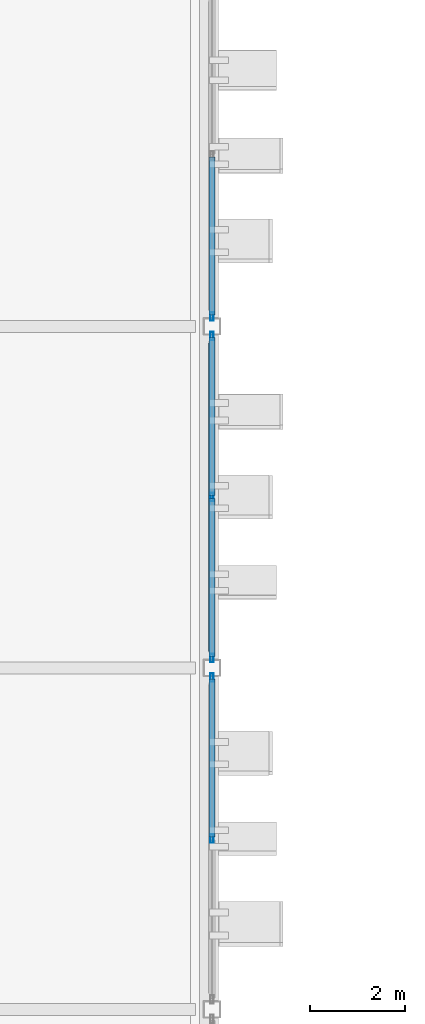
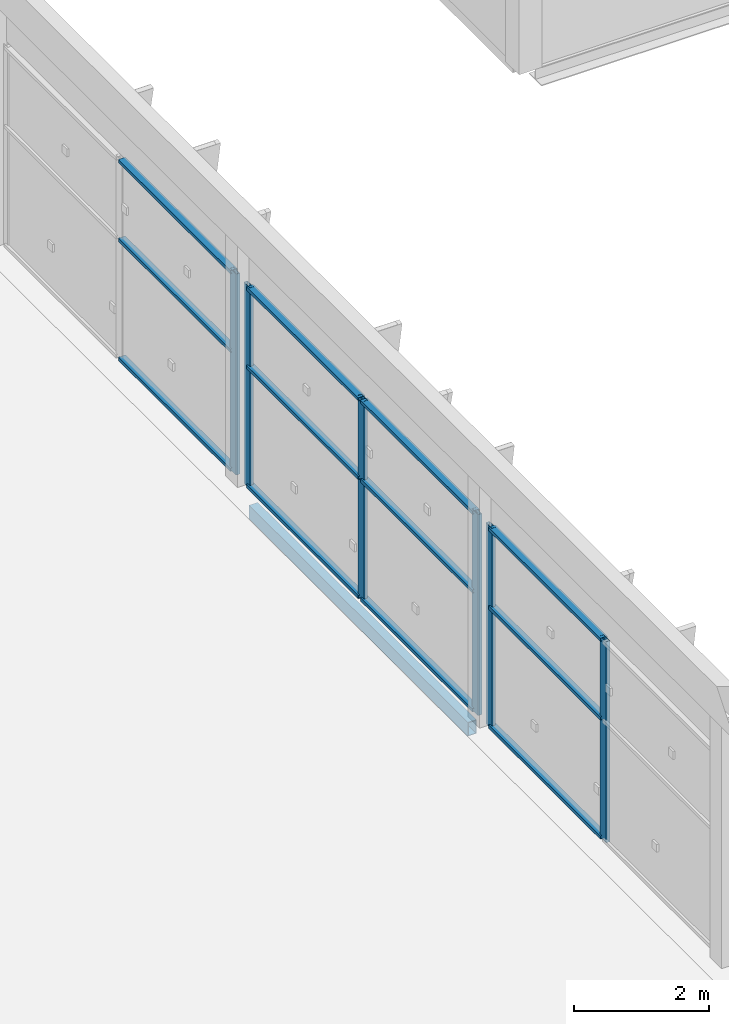
# One storey, part 54 of 124: 18 members, 1 beam, 3 elements without a shape of their own.
"""IFC4 building model written with IfcOpenShell, lengths in metres."""

from ifc_helpers import new_model, si_unit, direction, frame, origin, origin_2d, place, context, subcontext, project, spatial, hollow_rectangle, extrude, material, layer, layer_set, material_profile, profile_set, type_object, element, aggregate, save


model = new_model("IFC4")

# Units and contexts
model_context = context("Model", 3, precision=1e-05, world=origin(), true_north=direction((0.0, 1.0)))
body_context = subcontext(model_context, "Body", "Model", "MODEL_VIEW")
ifc_project = project(units=[si_unit("LENGTHUNIT", "METRE"), si_unit("AREAUNIT", "SQUARE_METRE"), si_unit("VOLUMEUNIT", "CUBIC_METRE"), si_unit("PLANEANGLEUNIT", "RADIAN"), si_unit("MASSUNIT", "GRAM", prefix="KILO")], contexts=[model_context])

# Site, building, storey
site_placement = place(None, origin())
site = spatial("IfcSite", under=ifc_project, at=site_placement, CompositionType="ELEMENT")
building_placement = place(site_placement, origin())
building = spatial("IfcBuilding", under=site, at=building_placement, Name="Celestram Park Convention Centre", CompositionType="ELEMENT")
storey_placement = place(building_placement, frame((0.0, 0.0, 15.300048828125)))
storey = spatial("IfcBuildingStorey", under=building, at=storey_placement, Name="L03", CompositionType="ELEMENT", Elevation=15.300048828125)

# Curtain wall, member
ifc_material_1 = material(Name="Anodised Aluminium Alloy 6063-T6", Category="aluminium")
ifc_layer = layer(ifc_material_1, 0.179931640625)
ifc_layer_set = layer_set([ifc_layer], Name="Anodised Aluminium Alloy 6063-T6")
curtain_wall_type = type_object("IfcCurtainWallType", Name="ARC-CW-685X365", PredefinedType="NOTDEFINED", material=ifc_layer_set)
curtain_wall_1_placement = place(storey_placement, origin())
curtain_wall_1 = element("IfcCurtainWall", 1, at=curtain_wall_1_placement, inside=storey, type_object=curtain_wall_type, Name="Unitised curtain wall CU-L03-218", PredefinedType="NOTDEFINED")
ifc_material_profile_1 = material_profile(ifc_material_1, hollow_rectangle(XDim=0.06494140625, YDim=0.179931640625, WallThickness=0.00390625, at=origin_2d()), Name="ALU65X180X4")
ifc_profile_set_1 = profile_set([ifc_material_profile_1], Name="Anodised Aluminium Alloy 6063-T6")
member_type_1 = type_object("IfcMemberType", Name="ARC-CWM-150", PredefinedType="MULLION", material=ifc_profile_set_1)
member_1_placement = place(storey_placement, frame((144.0, 108.20556640625, 0.0), z_axis=(0.0, 0.0, 1.0), x_axis=(1.0, 0.0, 0.0)))
member_1 = element("IfcMember", 2, at=member_1_placement, type_object=member_type_1, Name="CW-68X36 mullion 3", PredefinedType="MULLION", context=body_context, shape_type="SweptSolid", body=[
    extrude(hollow_rectangle(XDim=0.06494140625, YDim=0.179931640625, WallThickness=0.00390625, at=origin_2d()), origin(), (0.0, 0.0, 1.0), 3.64794921875),
])

# Curtain wall, members
curtain_wall_2_placement = place(storey_placement, origin())
curtain_wall_2 = element("IfcCurtainWall", 3, at=curtain_wall_2_placement, inside=storey, type_object=curtain_wall_type, Name="Unitised curtain wall CU-L03-219", PredefinedType="NOTDEFINED")
member_2_placement = place(storey_placement, frame((144.0, 107.79443359375, 0.0), z_axis=(0.0, 0.0, 1.0), x_axis=(1.0, 0.0, 0.0)))
member_2 = element("IfcMember", 4, at=member_2_placement, type_object=member_type_1, Name="CW-68X36 mullion 1", PredefinedType="MULLION", context=body_context, shape_type="SweptSolid", body=[
    extrude(hollow_rectangle(XDim=0.06494140625, YDim=0.179931640625, WallThickness=0.00390625, at=origin_2d()), origin(), (0.0, 0.0, 1.0), 3.64794921875),
])
member_3_placement = place(storey_placement, frame((144.0, 104.39990234375, 0.0), z_axis=(0.0, 0.0, 1.0), x_axis=(1.0, 0.0, 0.0)))
member_3 = element("IfcMember", 5, at=member_3_placement, type_object=member_type_1, Name="CW-68X36 mullion 2", PredefinedType="MULLION", context=body_context, shape_type="SweptSolid", body=[
    extrude(hollow_rectangle(XDim=0.06494140625, YDim=0.179931640625, WallThickness=0.00390625, at=origin_2d()), origin(), (0.0, 0.0, 1.0), 3.64794921875),
])
member_4_placement = place(storey_placement, frame((144.0, 101.005615234375, 0.0), z_axis=(0.0, 0.0, 1.0), x_axis=(1.0, 0.0, 0.0)))
member_4 = element("IfcMember", 6, at=member_4_placement, type_object=member_type_1, Name="CW-68X36 mullion 3", PredefinedType="MULLION", context=body_context, shape_type="SweptSolid", body=[
    extrude(hollow_rectangle(XDim=0.06494140625, YDim=0.179931640625, WallThickness=0.00390625, at=origin_2d()), origin(), (0.0, 0.0, 1.0), 3.64794921875),
])

curtain_wall_3_placement = place(storey_placement, origin())
curtain_wall_3 = element("IfcCurtainWall", 7, at=curtain_wall_3_placement, inside=storey, type_object=curtain_wall_type, Name="Unitised curtain wall CU-L03-220", PredefinedType="NOTDEFINED")
member_5_placement = place(storey_placement, frame((144.0, 100.594482421875, 0.0), z_axis=(0.0, 0.0, 1.0), x_axis=(1.0, 0.0, 0.0)))
member_5 = element("IfcMember", 8, at=member_5_placement, type_object=member_type_1, Name="CW-68X36 mullion 1", PredefinedType="MULLION", context=body_context, shape_type="SweptSolid", body=[
    extrude(hollow_rectangle(XDim=0.06494140625, YDim=0.179931640625, WallThickness=0.00390625, at=origin_2d()), origin(), (0.0, 0.0, 1.0), 3.64794921875),
])
member_6_placement = place(storey_placement, frame((144.0, 97.199951171875, 0.0), z_axis=(0.0, 0.0, 1.0), x_axis=(1.0, 0.0, 0.0)))
member_6 = element("IfcMember", 9, at=member_6_placement, type_object=member_type_1, Name="CW-68X36 mullion 2", PredefinedType="MULLION", context=body_context, shape_type="SweptSolid", body=[
    extrude(hollow_rectangle(XDim=0.06494140625, YDim=0.179931640625, WallThickness=0.00390625, at=origin_2d()), origin(), (0.0, 0.0, 1.0), 3.64794921875),
])

# Member
ifc_material_profile_2 = material_profile(ifc_material_1, hollow_rectangle(XDim=0.1201171875, YDim=0.06005859375, WallThickness=0.0029296875, at=origin_2d()), Name="ALU120X60X3")
ifc_profile_set_2 = profile_set([ifc_material_profile_2], Name="Anodised Aluminium Alloy 6063-T6")
member_type_2 = type_object("IfcMemberType", Name="ARC-CWT-120", PredefinedType="USERDEFINED", material=ifc_profile_set_2)
member_7_placement = place(storey_placement, frame((144.0, 111.5673828125, 0.030029296875), z_axis=(0.0, -1.0, 0.0), x_axis=(1.0, 0.0, 0.0)))
member_7 = element("IfcMember", 10, at=member_7_placement, type_object=member_type_2, Name="CW-68X36 transom 2.1", ObjectType="TRANSOM", PredefinedType="USERDEFINED", context=body_context, shape_type="SweptSolid", body=[
    extrude(hollow_rectangle(XDim=0.1201171875, YDim=0.06005859375, WallThickness=0.0029296875, at=origin_2d()), origin(), (0.0, 0.0, 1.0), 3.329345703125),
])

member_8_placement = place(storey_placement, frame((144.0, 111.5673828125, 2.18896484375), z_axis=(0.0, -1.0, 0.0), x_axis=(1.0, 0.0, 0.0)))
member_8 = element("IfcMember", 11, at=member_8_placement, type_object=member_type_2, Name="CW-68X36 transom 2.2", ObjectType="TRANSOM", PredefinedType="USERDEFINED", context=body_context, shape_type="SweptSolid", body=[
    extrude(hollow_rectangle(XDim=0.1201171875, YDim=0.06005859375, WallThickness=0.0029296875, at=origin_2d()), origin(), (0.0, 0.0, 1.0), 3.329345703125),
])

member_9_placement = place(storey_placement, frame((144.0, 111.5673828125, 3.617919921875), z_axis=(0.0, -1.0, 0.0), x_axis=(1.0, 0.0, 0.0)))
member_9 = element("IfcMember", 12, at=member_9_placement, type_object=member_type_2, Name="CW-68X36 transom 2.3", ObjectType="TRANSOM", PredefinedType="USERDEFINED", context=body_context, shape_type="SweptSolid", body=[
    extrude(hollow_rectangle(XDim=0.1201171875, YDim=0.06005859375, WallThickness=0.0029296875, at=origin_2d()), origin(), (0.0, 0.0, 1.0), 3.329345703125),
])

aggregate(curtain_wall_1, [member_1, member_7, member_8, member_9])

member_10_placement = place(storey_placement, frame((144.0, 107.761962890625, 0.030029296875), z_axis=(0.0, -1.0, 0.0), x_axis=(1.0, 0.0, 0.0)))
member_10 = element("IfcMember", 13, at=member_10_placement, type_object=member_type_2, Name="CW-68X36 transom 1.1", ObjectType="TRANSOM", PredefinedType="USERDEFINED", context=body_context, shape_type="SweptSolid", body=[
    extrude(hollow_rectangle(XDim=0.1201171875, YDim=0.06005859375, WallThickness=0.0029296875, at=origin_2d()), origin(), (0.0, 0.0, 1.0), 3.329345703125),
])

member_11_placement = place(storey_placement, frame((144.0, 107.761962890625, 2.18896484375), z_axis=(0.0, -1.0, 0.0), x_axis=(1.0, 0.0, 0.0)))
member_11 = element("IfcMember", 14, at=member_11_placement, type_object=member_type_2, Name="CW-68X36 transom 1.2", ObjectType="TRANSOM", PredefinedType="USERDEFINED", context=body_context, shape_type="SweptSolid", body=[
    extrude(hollow_rectangle(XDim=0.1201171875, YDim=0.06005859375, WallThickness=0.0029296875, at=origin_2d()), origin(), (0.0, 0.0, 1.0), 3.329345703125),
])

member_12_placement = place(storey_placement, frame((144.0, 107.761962890625, 3.617919921875), z_axis=(0.0, -1.0, 0.0), x_axis=(1.0, 0.0, 0.0)))
member_12 = element("IfcMember", 15, at=member_12_placement, type_object=member_type_2, Name="CW-68X36 transom 1.3", ObjectType="TRANSOM", PredefinedType="USERDEFINED", context=body_context, shape_type="SweptSolid", body=[
    extrude(hollow_rectangle(XDim=0.1201171875, YDim=0.06005859375, WallThickness=0.0029296875, at=origin_2d()), origin(), (0.0, 0.0, 1.0), 3.329345703125),
])

member_13_placement = place(storey_placement, frame((144.0, 104.367431640625, 0.030029296875), z_axis=(0.0, -1.0, 0.0), x_axis=(1.0, 0.0, 0.0)))
member_13 = element("IfcMember", 16, at=member_13_placement, type_object=member_type_2, Name="CW-68X36 transom 2.1", ObjectType="TRANSOM", PredefinedType="USERDEFINED", context=body_context, shape_type="SweptSolid", body=[
    extrude(hollow_rectangle(XDim=0.1201171875, YDim=0.06005859375, WallThickness=0.0029296875, at=origin_2d()), origin(), (0.0, 0.0, 1.0), 3.329345703125),
])

member_14_placement = place(storey_placement, frame((144.0, 104.367431640625, 2.18896484375), z_axis=(0.0, -1.0, 0.0), x_axis=(1.0, 0.0, 0.0)))
member_14 = element("IfcMember", 17, at=member_14_placement, type_object=member_type_2, Name="CW-68X36 transom 2.2", ObjectType="TRANSOM", PredefinedType="USERDEFINED", context=body_context, shape_type="SweptSolid", body=[
    extrude(hollow_rectangle(XDim=0.1201171875, YDim=0.06005859375, WallThickness=0.0029296875, at=origin_2d()), origin(), (0.0, 0.0, 1.0), 3.329345703125),
])

member_15_placement = place(storey_placement, frame((144.0, 104.367431640625, 3.617919921875), z_axis=(0.0, -1.0, 0.0), x_axis=(1.0, 0.0, 0.0)))
member_15 = element("IfcMember", 18, at=member_15_placement, type_object=member_type_2, Name="CW-68X36 transom 2.3", ObjectType="TRANSOM", PredefinedType="USERDEFINED", context=body_context, shape_type="SweptSolid", body=[
    extrude(hollow_rectangle(XDim=0.1201171875, YDim=0.06005859375, WallThickness=0.0029296875, at=origin_2d()), origin(), (0.0, 0.0, 1.0), 3.329345703125),
])

aggregate(curtain_wall_2, [member_2, member_3, member_4, member_10, member_11, member_12, member_13, member_14, member_15])

member_16_placement = place(storey_placement, frame((144.0, 100.56201171875, 0.030029296875), z_axis=(0.0, -1.0, 0.0), x_axis=(1.0, 0.0, 0.0)))
member_16 = element("IfcMember", 19, at=member_16_placement, type_object=member_type_2, Name="CW-68X36 transom 1.1", ObjectType="TRANSOM", PredefinedType="USERDEFINED", context=body_context, shape_type="SweptSolid", body=[
    extrude(hollow_rectangle(XDim=0.1201171875, YDim=0.06005859375, WallThickness=0.0029296875, at=origin_2d()), origin(), (0.0, 0.0, 1.0), 3.32958984375),
])

member_17_placement = place(storey_placement, frame((144.0, 100.56201171875, 2.18896484375), z_axis=(0.0, -1.0, 0.0), x_axis=(1.0, 0.0, 0.0)))
member_17 = element("IfcMember", 20, at=member_17_placement, type_object=member_type_2, Name="CW-68X36 transom 1.2", ObjectType="TRANSOM", PredefinedType="USERDEFINED", context=body_context, shape_type="SweptSolid", body=[
    extrude(hollow_rectangle(XDim=0.1201171875, YDim=0.06005859375, WallThickness=0.0029296875, at=origin_2d()), origin(), (0.0, 0.0, 1.0), 3.32958984375),
])

member_18_placement = place(storey_placement, frame((144.0, 100.56201171875, 3.617919921875), z_axis=(0.0, -1.0, 0.0), x_axis=(1.0, 0.0, 0.0)))
member_18 = element("IfcMember", 21, at=member_18_placement, type_object=member_type_2, Name="CW-68X36 transom 1.3", ObjectType="TRANSOM", PredefinedType="USERDEFINED", context=body_context, shape_type="SweptSolid", body=[
    extrude(hollow_rectangle(XDim=0.1201171875, YDim=0.06005859375, WallThickness=0.0029296875, at=origin_2d()), origin(), (0.0, 0.0, 1.0), 3.32958984375),
])

aggregate(curtain_wall_3, [member_5, member_6, member_16, member_17, member_18])

# Beam
ifc_material_2 = material(Name="Steel ASTM A500 Grade C", Category="steel")
ifc_material_profile_3 = material_profile(ifc_material_2, hollow_rectangle(XDim=0.14990234375, YDim=0.25, WallThickness=0.010009765625, at=origin_2d()), Name="HSS250X150X10")
ifc_profile_set_3 = profile_set([ifc_material_profile_3], Name="Steel ASTM A500 Grade C")
beam_type = type_object("IfcBeamType", Name="STR-SPN-HSS250X150", PredefinedType="SPANDREL", material=ifc_profile_set_3)
beam_placement = place(storey_placement, frame((144.0, 101.14794921875, -0.375), z_axis=(0.0, 1.0, 0.0), x_axis=(-1.0, 0.0, 0.0)))
element("IfcBeam", 22, at=beam_placement, inside=storey, type_object=beam_type, Name="Primary Y-girder BG-L03-0232", PredefinedType="SPANDREL", context=body_context, shape_type="SweptSolid", body=[
    extrude(hollow_rectangle(XDim=0.14990234375, YDim=0.25, WallThickness=0.010009765625, at=origin_2d()), origin(), (0.0, 0.0, 1.0), 6.504150390625),
])

save(model, "model.ifc")
